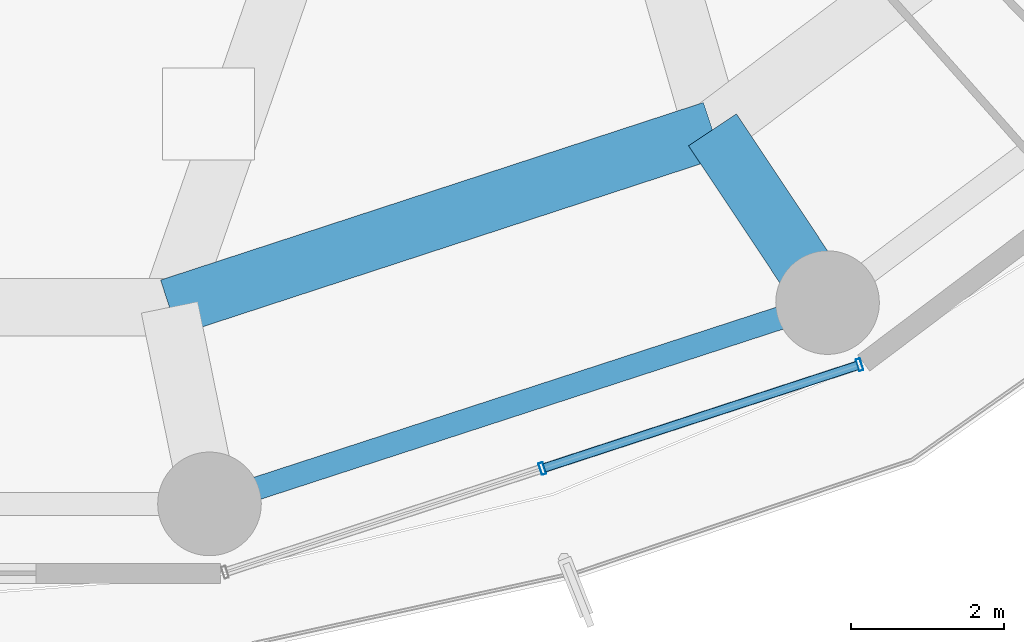
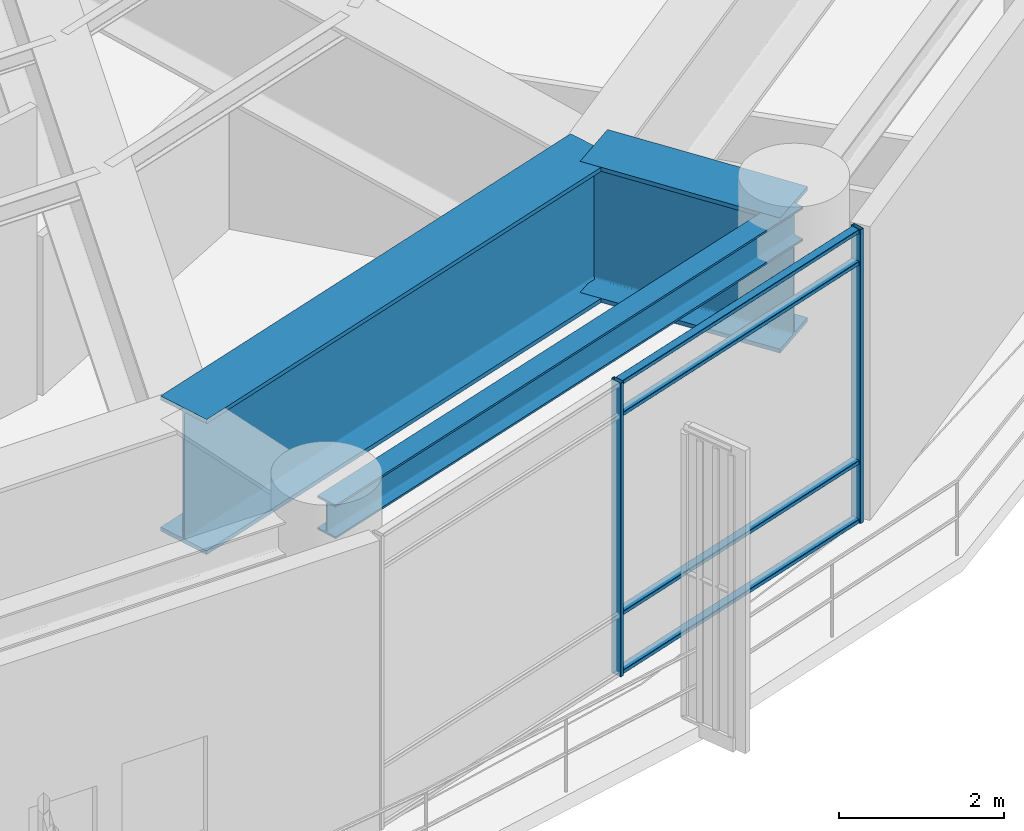
# One storey, part 10 of 34: 6 members, 3 beams, 1 element without a shape of its own.
"""IFC4 building model written with IfcOpenShell, lengths in metres."""

from ifc_helpers import new_model, si_unit, direction, frame, origin, origin_2d, place, context, subcontext, project, spatial, hollow_rectangle, i_section, extrude, material, layer, layer_set, material_profile, profile_set, type_object, element, aggregate, save


model = new_model("IFC4")

# Units and contexts
model_context = context("Model", 3, precision=1e-05, world=origin(), true_north=direction((0.0, 1.0)))
body_context = subcontext(model_context, "Body", "Model", "MODEL_VIEW")
ifc_project = project(units=[si_unit("LENGTHUNIT", "METRE"), si_unit("AREAUNIT", "SQUARE_METRE"), si_unit("VOLUMEUNIT", "CUBIC_METRE"), si_unit("PLANEANGLEUNIT", "RADIAN"), si_unit("MASSUNIT", "GRAM", prefix="KILO")], contexts=[model_context])

# Site, building, storey
site_placement = place(None, origin())
site = spatial("IfcSite", under=ifc_project, at=site_placement, CompositionType="ELEMENT")
building_placement = place(site_placement, origin())
building = spatial("IfcBuilding", under=site, at=building_placement, Name="Kelanora Arch Commons", CompositionType="ELEMENT")
storey_placement = place(building_placement, frame((0.0, 0.0, 125.10009765625)))
storey = spatial("IfcBuildingStorey", under=building, at=storey_placement, Name="L32", CompositionType="ELEMENT", Elevation=125.10009765625)

# Beams
ifc_material_1 = material(Name="Steel S355", Category="steel")
ifc_material_profile_1 = material_profile(ifc_material_1, i_section(OverallWidth=0.300048828125, OverallDepth=0.5, WebThickness=0.014404296875, FlangeThickness=0.028076171875, FilletRadius=0.027099609375, at=origin_2d()), Name="HEB500")
ifc_profile_set_1 = profile_set([ifc_material_profile_1], Name="Steel S355")
beam_type_1 = type_object("IfcBeamType", Name="BM-SPN-Z2", PredefinedType="SPANDREL", material=ifc_profile_set_1)
beam_1_placement = place(storey_placement, frame((78.28564453125, 36.25537109375, 4.10986328125), z_axis=(0.950856631974, 0.309631499418, 0.0), x_axis=(-0.309631499418, 0.950856631974, 0.0)))
element("IfcBeam", 1, at=beam_1_placement, inside=storey, type_object=beam_type_1, Name="Perimeter Spandrel Beam BS-28 L32", PredefinedType="SPANDREL", context=body_context, shape_type="SweptSolid", body=[
    extrude(i_section(OverallWidth=0.300048828125, OverallDepth=0.5, WebThickness=0.014404296875, FlangeThickness=0.028076171875, FilletRadius=0.027099609375, at=origin_2d()), origin(), (0.0, 0.0, 1.0), 8.470703125),
])
ifc_material_profile_2 = material_profile(ifc_material_1, i_section(OverallWidth=0.75, OverallDepth=2.0, WebThickness=0.034912109375, FlangeThickness=0.06005859375, FilletRadius=0.028076171875, at=origin_2d()), Name="PG2000x750")
ifc_profile_set_2 = profile_set([ifc_material_profile_2], Name="Steel S355")
beam_type_2 = type_object("IfcBeamType", Name="BM-XFER-SET", PredefinedType="USERDEFINED", material=ifc_profile_set_2)
beam_2_placement = place(storey_placement, frame((84.840087890625, 41.1298828125, 3.35986328125), z_axis=(0.554408631196, -0.832244597252, 0.0), x_axis=(0.832244597252, 0.554408631196, 0.0)))
element("IfcBeam", 2, at=beam_2_placement, inside=storey, type_object=beam_type_2, Name="Radial Floor Girder BR-30 L32", ObjectType="TRANSFER_GIRDER", PredefinedType="USERDEFINED", context=body_context, shape_type="SweptSolid", body=[
    extrude(i_section(OverallWidth=0.75, OverallDepth=2.0, WebThickness=0.034912109375, FlangeThickness=0.06005859375, FilletRadius=0.028076171875, at=origin_2d()), origin(), (0.0, 0.0, 1.0), 2.70556640625),
])
beam_3_placement = place(storey_placement, frame((77.7646484375, 38.81591796875, 3.35986328125), z_axis=(0.950461975786, 0.310840847676, 0.0), x_axis=(-0.310840847676, 0.950461975786, 0.0)))
element("IfcBeam", 3, at=beam_3_placement, inside=storey, type_object=beam_type_2, Name="Setback Inner Transfer Ring BSI-28 L32", ObjectType="TRANSFER_GIRDER", PredefinedType="USERDEFINED", context=body_context, shape_type="SweptSolid", body=[
    extrude(i_section(OverallWidth=0.75, OverallDepth=2.0, WebThickness=0.034912109375, FlangeThickness=0.06005859375, FilletRadius=0.028076171875, at=origin_2d()), origin(), (0.0, 0.0, 1.0), 7.444091796875),
])

# Curtain wall, members
ifc_material_2 = material(Name="Terracotta ceramic-fritted low-E glass and aluminium", Category="masonry")
ifc_layer = layer(ifc_material_2, 0.159912109375)
ifc_layer_set = layer_set([ifc_layer], Name="Terracotta ceramic-fritted low-E glass and aluminium")
curtain_wall_type = type_object("IfcCurtainWallType", Name="CW-SYS-01", PredefinedType="NOTDEFINED", material=ifc_layer_set)
curtain_wall_placement = place(storey_placement, origin())
curtain_wall = element("IfcCurtainWall", 4, at=curtain_wall_placement, inside=storey, type_object=curtain_wall_type, Name="Unitised Curtain Wall L32-B14", PredefinedType="NOTDEFINED")
ifc_material_3 = material(Name="Powder-coated aluminium terracotta", Category="masonry")
ifc_material_profile_3 = material_profile(ifc_material_3, hollow_rectangle(XDim=0.159912109375, YDim=0.06005859375, WallThickness=0.0048828125, InnerFilletRadius=0.0048828125, OuterFilletRadius=0.010009765625, at=origin_2d()), Name="CWM160x60")
ifc_profile_set_3 = profile_set([ifc_material_profile_3], Name="Powder-coated aluminium terracotta")
member_type_1 = type_object("IfcMemberType", Name="CWM-STD", PredefinedType="MULLION", material=ifc_profile_set_3)
member_1_placement = place(storey_placement, frame((82.622802734375, 36.71533203125, 0.0), z_axis=(0.0, 0.0, 1.0), x_axis=(-0.31080470294, 0.950473795867, 0.0)))
member_1 = element("IfcMember", 5, at=member_1_placement, type_object=member_type_1, Name="CW-01 mullion 2", PredefinedType="MULLION", context=body_context, shape_type="SweptSolid", body=[
    extrude(hollow_rectangle(XDim=0.159912109375, YDim=0.06005859375, WallThickness=0.0048828125, InnerFilletRadius=0.0048828125, OuterFilletRadius=0.010009765625, at=origin_2d()), origin(), (0.0, 0.0, 1.0), 4.344970703125),
])
member_2_placement = place(storey_placement, frame((86.757080078125, 38.0673828125, 0.0), z_axis=(0.0, 0.0, 1.0), x_axis=(-0.31080470294, 0.950473795867, 0.0)))
member_2 = element("IfcMember", 6, at=member_2_placement, type_object=member_type_1, Name="CW-01 mullion 3", PredefinedType="MULLION", context=body_context, shape_type="SweptSolid", body=[
    extrude(hollow_rectangle(XDim=0.159912109375, YDim=0.06005859375, WallThickness=0.0048828125, InnerFilletRadius=0.0048828125, OuterFilletRadius=0.010009765625, at=origin_2d()), origin(), (0.0, 0.0, 1.0), 4.344970703125),
])
ifc_material_profile_4 = material_profile(ifc_material_3, hollow_rectangle(XDim=0.1201171875, YDim=0.06005859375, WallThickness=0.0048828125, InnerFilletRadius=0.0048828125, OuterFilletRadius=0.010009765625, at=origin_2d()), Name="CWT120x60")
ifc_profile_set_4 = profile_set([ifc_material_profile_4], Name="Powder-coated aluminium terracotta")
member_type_2 = type_object("IfcMemberType", Name="CWT-STD", PredefinedType="USERDEFINED", material=ifc_profile_set_4)
member_3_placement = place(storey_placement, frame((82.651123046875, 36.724609375, 0.02978515625), z_axis=(0.950466230394, 0.310827838008, 0.0), x_axis=(-0.310827838008, 0.950466230394, 0.0)))
member_3 = element("IfcMember", 7, at=member_3_placement, type_object=member_type_2, Name="CW-01 transom 2.1", ObjectType="TRANSOM", PredefinedType="USERDEFINED", context=body_context, shape_type="SweptSolid", body=[
    extrude(hollow_rectangle(XDim=0.1201171875, YDim=0.06005859375, WallThickness=0.0048828125, InnerFilletRadius=0.0048828125, OuterFilletRadius=0.010009765625, at=origin_2d()), origin(), (0.0, 0.0, 1.0), 4.2900390625),
])
member_4_placement = place(storey_placement, frame((82.651123046875, 36.724609375, 0.89990234375), z_axis=(0.950466230394, 0.310827838008, 0.0), x_axis=(-0.310827838008, 0.950466230394, 0.0)))
member_4 = element("IfcMember", 8, at=member_4_placement, type_object=member_type_2, Name="CW-01 transom 2.2", ObjectType="TRANSOM", PredefinedType="USERDEFINED", context=body_context, shape_type="SweptSolid", body=[
    extrude(hollow_rectangle(XDim=0.1201171875, YDim=0.06005859375, WallThickness=0.0048828125, InnerFilletRadius=0.0048828125, OuterFilletRadius=0.010009765625, at=origin_2d()), origin(), (0.0, 0.0, 1.0), 4.2900390625),
])
member_5_placement = place(storey_placement, frame((82.651123046875, 36.724609375, 3.844970703125), z_axis=(0.950466230394, 0.310827838008, 0.0), x_axis=(-0.310827838008, 0.950466230394, 0.0)))
member_5 = element("IfcMember", 9, at=member_5_placement, type_object=member_type_2, Name="CW-01 transom 2.3", ObjectType="TRANSOM", PredefinedType="USERDEFINED", context=body_context, shape_type="SweptSolid", body=[
    extrude(hollow_rectangle(XDim=0.1201171875, YDim=0.06005859375, WallThickness=0.0048828125, InnerFilletRadius=0.0048828125, OuterFilletRadius=0.010009765625, at=origin_2d()), origin(), (0.0, 0.0, 1.0), 4.2900390625),
])
member_6_placement = place(storey_placement, frame((82.651123046875, 36.724609375, 4.31494140625), z_axis=(0.950466230394, 0.310827838008, 0.0), x_axis=(-0.310827838008, 0.950466230394, 0.0)))
member_6 = element("IfcMember", 10, at=member_6_placement, type_object=member_type_2, Name="CW-01 transom 2.4", ObjectType="TRANSOM", PredefinedType="USERDEFINED", context=body_context, shape_type="SweptSolid", body=[
    extrude(hollow_rectangle(XDim=0.1201171875, YDim=0.06005859375, WallThickness=0.0048828125, InnerFilletRadius=0.0048828125, OuterFilletRadius=0.010009765625, at=origin_2d()), origin(), (0.0, 0.0, 1.0), 4.2900390625),
])
aggregate(curtain_wall, [member_1, member_2, member_3, member_4, member_5, member_6])

save(model, "model.ifc")
